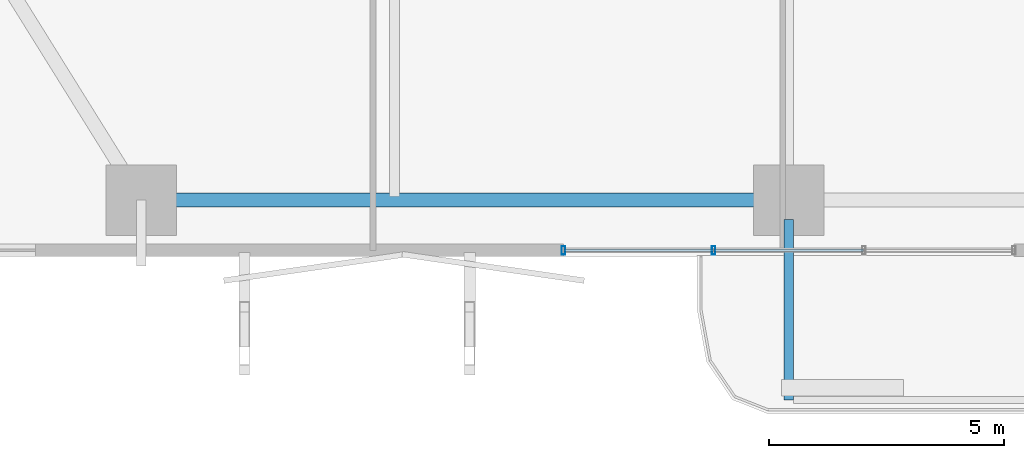
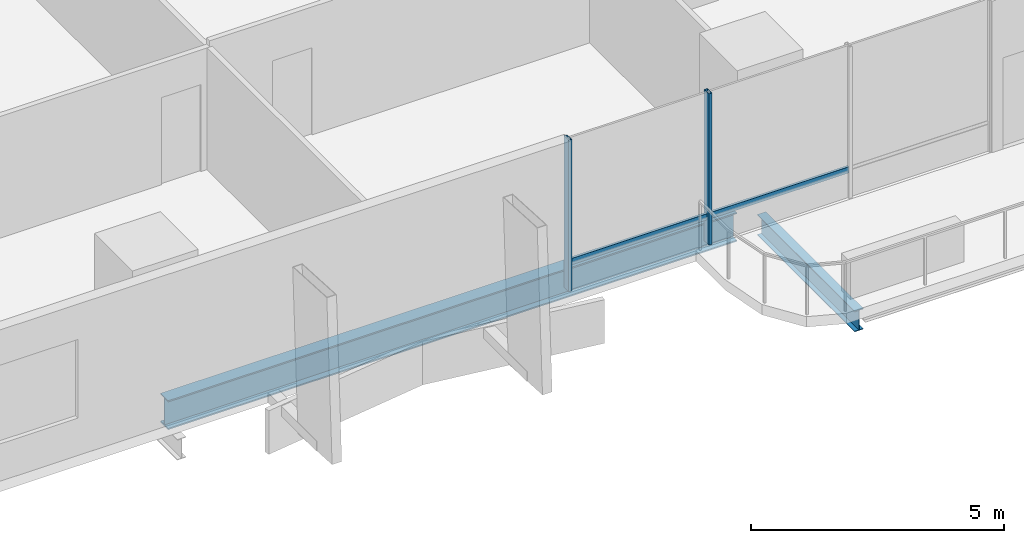
# One storey, part 2 of 24: 4 members, 2 beams, 1 element without a shape of its own.
"""IFC4 building model written with IfcOpenShell, lengths in metres."""

from ifc_helpers import new_model, si_unit, direction, frame, origin, origin_2d, place, context, subcontext, project, spatial, hollow_rectangle, i_section, extrude, material, layer, layer_set, material_profile, profile_set, type_object, element, aggregate, save


model = new_model("IFC4")

# Units and contexts
model_context = context("Model", 3, precision=1e-05, world=origin(), true_north=direction((0.0, 1.0)))
body_context = subcontext(model_context, "Body", "Model", "MODEL_VIEW")
ifc_project = project(units=[si_unit("LENGTHUNIT", "METRE"), si_unit("AREAUNIT", "SQUARE_METRE"), si_unit("VOLUMEUNIT", "CUBIC_METRE"), si_unit("PLANEANGLEUNIT", "RADIAN"), si_unit("MASSUNIT", "GRAM", prefix="KILO")], contexts=[model_context])

# Site, building, storey
site_placement = place(None, origin())
site = spatial("IfcSite", under=ifc_project, at=site_placement, CompositionType="ELEMENT")
building_placement = place(site_placement, origin())
building = spatial("IfcBuilding", under=site, at=building_placement, Name="Belovzor Exchange Tower", CompositionType="ELEMENT")
storey_placement = place(building_placement, frame((0.0, 0.0, 61.199951171875)))
storey = spatial("IfcBuildingStorey", under=building, at=storey_placement, Name="L14", CompositionType="ELEMENT", Elevation=61.199951171875)

# Beam
ifc_material_1 = material(Name="Steel S355", Category="steel")
ifc_material_profile_1 = material_profile(ifc_material_1, i_section(OverallWidth=0.199951171875, OverallDepth=0.5, WebThickness=0.01025390625, FlangeThickness=0.01611328125, at=origin_2d()))
ifc_profile_set_1 = profile_set([ifc_material_profile_1], Name="Steel S355")
beam_type_1 = type_object("IfcBeamType", Name="Planted Balcony Cantilever Beam IPE 500", PredefinedType="BEAM", material=ifc_profile_set_1)
beam_1_placement = place(storey_placement, frame((28.800048828125, 1.68798828125, -0.5), z_axis=(0.0, -1.0, 0.0), x_axis=(1.0, 0.0, 0.0)))
element("IfcBeam", 1, at=beam_1_placement, inside=storey, type_object=beam_type_1, Name="BC-500 Planted Balcony Cantilever Beam IPE 500", PredefinedType="BEAM", context=body_context, shape_type="SweptSolid", body=[
    extrude(i_section(OverallWidth=0.199951171875, OverallDepth=0.5, WebThickness=0.01025390625, FlangeThickness=0.01611328125, at=origin_2d()), origin(), (0.0, 0.0, 1.0), 3.85009765625),
])

# Curtain wall, members
ifc_material_2 = material(Name="Anodised Aluminium Framing", Category="aluminium")
ifc_layer = layer(ifc_material_2, 0.179931640625)
ifc_layer_set = layer_set([ifc_layer], Name="Anodised Aluminium Framing")
curtain_wall_type = type_object("IfcCurtainWallType", Name="Recessed Loggia Low-Iron Triple-Glazed Curtain Wall", PredefinedType="NOTDEFINED", material=ifc_layer_set)
curtain_wall_placement = place(storey_placement, origin())
curtain_wall = element("IfcCurtainWall", 2, at=curtain_wall_placement, inside=storey, type_object=curtain_wall_type, Name="CW3 Recessed Loggia Low-Iron Triple-Glazed Curtain Wall L14", PredefinedType="NOTDEFINED")
ifc_material_3 = material(Name="Steel S355", Category="steel")
ifc_material_profile_2 = material_profile(ifc_material_3, hollow_rectangle(XDim=0.074951171875, YDim=0.179931640625, WallThickness=0.0048828125, at=origin_2d()))
ifc_profile_set_2 = profile_set([ifc_material_profile_2], Name="Steel S355")
member_type_1 = type_object("IfcMemberType", Name="Thermally Broken Curtain Wall Mullion 180x75", PredefinedType="MULLION", material=ifc_profile_set_2)
member_1_placement = place(storey_placement, frame((27.199951171875, 1.030029296875, 0.0), z_axis=(0.0, 0.0, 1.0), x_axis=(-1.0, 0.0, 0.0)))
member_1 = element("IfcMember", 3, at=member_1_placement, type_object=member_type_1, Name="CW-M180 Curtain Wall Mullion 3", PredefinedType="MULLION", context=body_context, shape_type="SweptSolid", body=[
    extrude(hollow_rectangle(XDim=0.074951171875, YDim=0.179931640625, WallThickness=0.0048828125, at=origin_2d()), origin(), (0.0, 0.0, 1.0), 3.650146484375),
])
member_2_placement = place(storey_placement, frame((24.0, 1.030029296875, 0.0), z_axis=(0.0, 0.0, 1.0), x_axis=(-1.0, 0.0, 0.0)))
member_2 = element("IfcMember", 4, at=member_2_placement, type_object=member_type_1, Name="CW-M180 Curtain Wall Mullion 4", PredefinedType="MULLION", context=body_context, shape_type="SweptSolid", body=[
    extrude(hollow_rectangle(XDim=0.074951171875, YDim=0.179931640625, WallThickness=0.0048828125, at=origin_2d()), origin(), (0.0, 0.0, 1.0), 3.650146484375),
])
ifc_material_4 = material(Name="Steel S355", Category="steel")
ifc_material_profile_3 = material_profile(ifc_material_4, hollow_rectangle(XDim=0.06005859375, YDim=0.14990234375, WallThickness=0.00390625, at=origin_2d()))
ifc_profile_set_3 = profile_set([ifc_material_profile_3], Name="Steel S355")
member_type_2 = type_object("IfcMemberType", Name="Thermally Broken Curtain Wall Transom 150x60", PredefinedType="USERDEFINED", material=ifc_profile_set_3)
member_3_placement = place(storey_placement, frame((30.39208984375, 1.030029296875, 0.650146484375), z_axis=(-1.0, 0.0, 0.0), x_axis=(0.0, -1.0, 0.0)))
member_3 = element("IfcMember", 5, at=member_3_placement, type_object=member_type_2, Name="CW-T150 Curtain Wall Transom 2", ObjectType="TRANSOM", PredefinedType="USERDEFINED", context=body_context, shape_type="SweptSolid", body=[
    extrude(hollow_rectangle(XDim=0.06005859375, YDim=0.14990234375, WallThickness=0.00390625, at=origin_2d()), origin(), (0.0, 0.0, 1.0), 3.18408203125),
])
member_4_placement = place(storey_placement, frame((27.19189453125, 1.030029296875, 0.650146484375), z_axis=(-1.0, 0.0, 0.0), x_axis=(0.0, -1.0, 0.0)))
member_4 = element("IfcMember", 6, at=member_4_placement, type_object=member_type_2, Name="CW-T150 Curtain Wall Transom 3", ObjectType="TRANSOM", PredefinedType="USERDEFINED", context=body_context, shape_type="SweptSolid", body=[
    extrude(hollow_rectangle(XDim=0.06005859375, YDim=0.14990234375, WallThickness=0.00390625, at=origin_2d()), origin(), (0.0, 0.0, 1.0), 3.183837890625),
])
aggregate(curtain_wall, [member_1, member_2, member_3, member_4])

# Beam
ifc_material_5 = material(Name="Steel S355", Category="steel")
ifc_material_profile_4 = material_profile(ifc_material_5, i_section(OverallWidth=0.300048828125, OverallDepth=0.699951171875, WebThickness=0.01708984375, FlangeThickness=0.031982421875, at=origin_2d()))
ifc_profile_set_4 = profile_set([ifc_material_profile_4], Name="Steel S355")
beam_type_2 = type_object("IfcBeamType", Name="Zone 1 Primary Perimeter Girder HEB 700", PredefinedType="BEAM", material=ifc_profile_set_4)
beam_2_placement = place(storey_placement, frame((15.412109375, 2.10009765625, -0.599853515625), z_axis=(1.0, 0.0, 0.0), x_axis=(0.0, 1.0, 0.0)))
element("IfcBeam", 7, at=beam_2_placement, inside=storey, type_object=beam_type_2, Name="FG-Z1 Zone 1 Primary Perimeter Girder HEB 700", PredefinedType="BEAM", context=body_context, shape_type="SweptSolid", body=[
    extrude(i_section(OverallWidth=0.300048828125, OverallDepth=0.699951171875, WebThickness=0.01708984375, FlangeThickness=0.031982421875, at=origin_2d()), origin(), (0.0, 0.0, 1.0), 12.974853515625),
])

save(model, "model.ifc")
